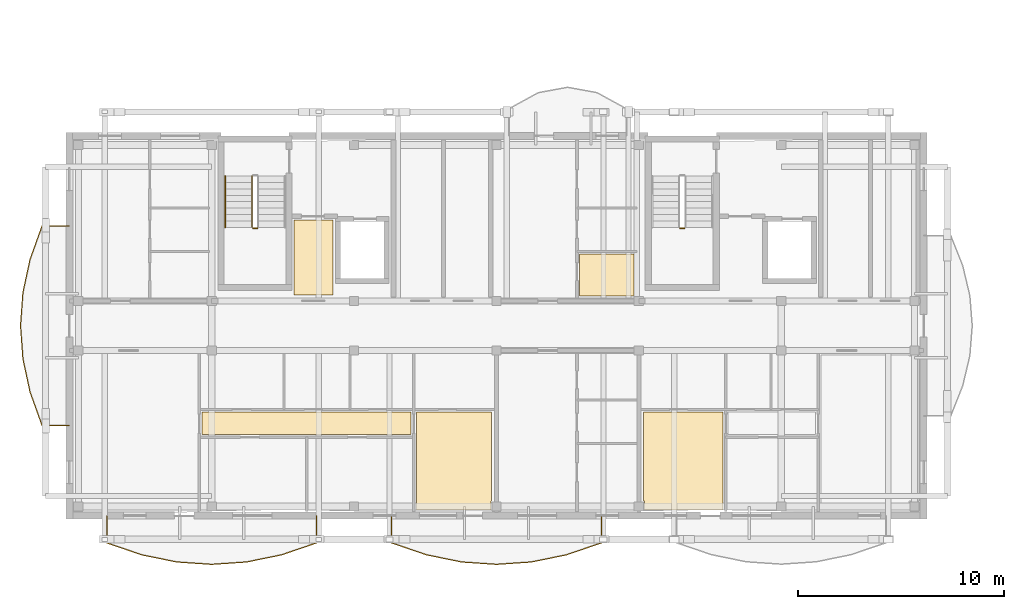
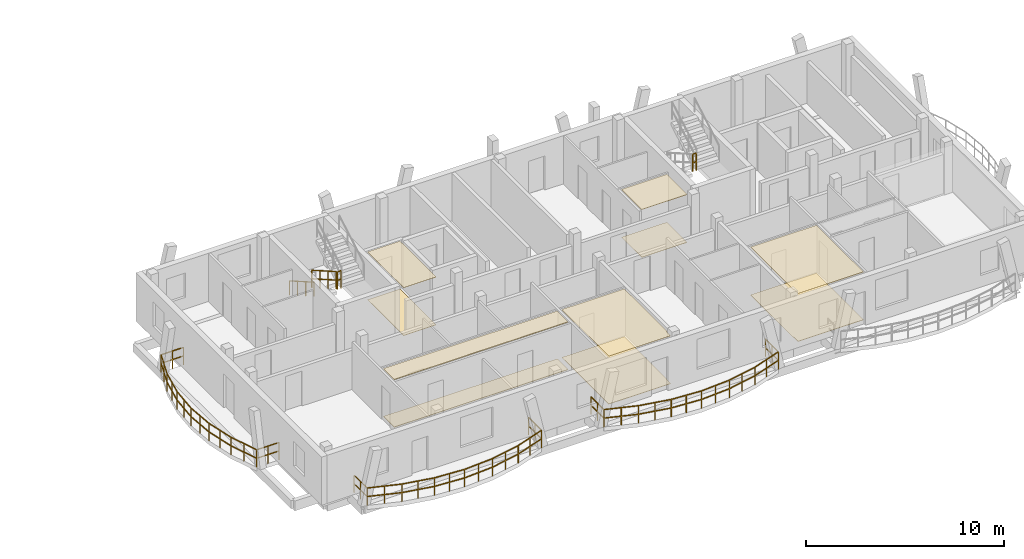
# One storey, part 18 of 21: 10 coverings, 7 railings.
"""IFC4 building model written with IfcOpenShell, lengths in metres."""

from ifc_helpers import new_model, si_unit, direction, frame, origin, origin_2d, place, context, subcontext, project, spatial, polyline, rectangle, outline, extrude, material, layer, layer_set, type_object, element, save


model = new_model("IFC4")

# Units and contexts
model_context = context("Model", 3, precision=1e-05, world=origin(), true_north=direction((0.0, 1.0)))
body_context = subcontext(model_context, "Body", "Model", "MODEL_VIEW")
ifc_project = project(units=[si_unit("LENGTHUNIT", "METRE"), si_unit("AREAUNIT", "SQUARE_METRE"), si_unit("VOLUMEUNIT", "CUBIC_METRE"), si_unit("PLANEANGLEUNIT", "RADIAN"), si_unit("MASSUNIT", "GRAM", prefix="KILO")], contexts=[model_context])

# Site, building, storey
site_placement = place(None, origin())
site = spatial("IfcSite", under=ifc_project, at=site_placement, CompositionType="ELEMENT")
building_placement = place(site_placement, origin())
building = spatial("IfcBuilding", under=site, at=building_placement, Name="Zavelmont Quarter", CompositionType="ELEMENT")
storey_placement = place(building_placement, frame((0.0, 0.0, 36.800048828125)))
storey = spatial("IfcBuildingStorey", under=building, at=storey_placement, Name="L11", CompositionType="ELEMENT", Elevation=36.800048828125)

# Coverings
ifc_material_1 = material(Name="Perforated acoustic gypsum board")
ifc_layer_1 = layer(ifc_material_1, 0.02490234375)
ifc_layer_set_1 = layer_set([ifc_layer_1], Name="Perforated acoustic gypsum board")
covering_type_1 = type_object("IfcCoveringType", Name="CV-CL01", PredefinedType="CEILING", material=ifc_layer_set_1)
covering_1_placement = place(storey_placement, frame((0.0, 0.0, 2.945068359375)))
element("IfcCovering", 1, at=covering_1_placement, inside=storey, type_object=covering_type_1, Name="L11 Lobby Vestibule acoustic ceiling", PredefinedType="CEILING", context=body_context, shape_type="SweptSolid", body=[
    extrude(outline(polyline([(10.8798828125, 14.320068359375), (12.77001953125, 14.320068359375), (12.77001953125, 10.679931640625), (10.8798828125, 10.679931640625), (10.8798828125, 14.320068359375)])), origin(), (0.0, 0.0, 1.0), 0.02490234375),
])
covering_2_placement = place(storey_placement, frame((0.0, 0.0, 2.945068359375)))
element("IfcCovering", 2, at=covering_2_placement, inside=storey, type_object=covering_type_1, Name="L11 Master Bedroom acoustic ceiling", PredefinedType="CEILING", context=body_context, shape_type="SweptSolid", body=[
    extrude(outline(polyline([(16.830078125, 5.02001953125), (20.469970703125, 5.02001953125), (20.469970703125, 0.705078125), (20.43505859375, 0.705078125), (20.43505859375, 0.280029296875), (16.830078125, 0.280029296875), (16.830078125, 5.02001953125)])), origin(), (0.0, 0.0, 1.0), 0.02490234375),
])
covering_3_placement = place(storey_placement, frame((0.0, 0.0, 2.945068359375)))
element("IfcCovering", 3, at=covering_3_placement, inside=storey, type_object=covering_type_1, Name="L11 Double Bedroom acoustic ceiling", PredefinedType="CEILING", context=body_context, shape_type="SweptSolid", body=[
    extrude(outline(polyline([(27.830078125, 5.02001953125), (31.669921875, 5.02001953125), (31.669921875, 0.280029296875), (27.864990234375, 0.280029296875), (27.864990234375, 0.705078125), (27.830078125, 0.705078125), (27.830078125, 5.02001953125)])), origin(), (0.0, 0.0, 1.0), 0.02490234375),
])
covering_4_placement = place(storey_placement, frame((0.0, 0.0, 2.945068359375)))
element("IfcCovering", 4, at=covering_4_placement, inside=storey, type_object=covering_type_1, Name="L11 Kitchen acoustic ceiling", PredefinedType="CEILING", context=body_context, shape_type="SweptSolid", body=[
    extrude(outline(polyline([(24.72998046875, 12.669921875), (27.3701171875, 12.669921875), (27.3701171875, 10.6650390625), (27.3349609375, 10.6650390625), (27.3349609375, 10.6298828125), (24.72998046875, 10.6298828125), (24.72998046875, 12.669921875)])), origin(), (0.0, 0.0, 1.0), 0.02490234375),
])
ifc_material_2 = material(Name="Slatted European ash acoustic baffle ceiling")
ifc_layer_2 = layer(ifc_material_2, 0.0400390625)
ifc_layer_set_2 = layer_set([ifc_layer_2], Name="Slatted European ash acoustic baffle ceiling")
covering_type_2 = type_object("IfcCoveringType", Name="CV-CL02", PredefinedType="CEILING", material=ifc_layer_set_2)
covering_5_placement = place(storey_placement, frame((0.0, 0.0, 2.929931640625)))
element("IfcCovering", 5, at=covering_5_placement, inside=storey, type_object=covering_type_2, Name="L11 Apartment Hall acoustic ceiling", PredefinedType="CEILING", context=body_context, shape_type="SweptSolid", body=[
    extrude(outline(polyline([(6.429931640625, 5.02001953125), (16.570068359375, 5.02001953125), (16.570068359375, 3.929931640625), (6.429931640625, 3.929931640625), (6.429931640625, 5.02001953125)])), origin(), (0.0, 0.0, 1.0), 0.0400390625),
])
ifc_material_3 = material(Name="Engineered European oak parquet")
ifc_layer_3 = layer(ifc_material_3, 0.02197265625)
ifc_layer_set_3 = layer_set([ifc_layer_3], Name="Engineered European oak parquet")
covering_type_3 = type_object("IfcCoveringType", Name="CV-FL01", PredefinedType="FLOORING", material=ifc_layer_set_3)
covering_6_placement = place(storey_placement, origin())
element("IfcCovering", 6, at=covering_6_placement, inside=storey, type_object=covering_type_3, Name="L11 Lobby Vestibule floor finish", PredefinedType="FLOORING", context=body_context, shape_type="SweptSolid", body=[
    extrude(outline(polyline([(10.8798828125, 14.320068359375), (12.77001953125, 14.320068359375), (12.77001953125, 10.679931640625), (10.8798828125, 10.679931640625), (10.8798828125, 14.320068359375)])), origin(), (0.0, 0.0, 1.0), 0.02197265625),
])
covering_7_placement = place(storey_placement, origin())
element("IfcCovering", 7, at=covering_7_placement, inside=storey, type_object=covering_type_3, Name="L11 Master Bedroom floor finish", PredefinedType="FLOORING", context=body_context, shape_type="SweptSolid", body=[
    extrude(outline(polyline([(16.830078125, 5.02001953125), (20.469970703125, 5.02001953125), (20.469970703125, 0.705078125), (20.43505859375, 0.705078125), (20.43505859375, 0.280029296875), (16.830078125, 0.280029296875), (16.830078125, 5.02001953125)])), origin(), (0.0, 0.0, 1.0), 0.02197265625),
])
covering_8_placement = place(storey_placement, origin())
element("IfcCovering", 8, at=covering_8_placement, inside=storey, type_object=covering_type_3, Name="L11 Double Bedroom floor finish", PredefinedType="FLOORING", context=body_context, shape_type="SweptSolid", body=[
    extrude(outline(polyline([(27.830078125, 5.02001953125), (31.669921875, 5.02001953125), (31.669921875, 0.280029296875), (27.864990234375, 0.280029296875), (27.864990234375, 0.705078125), (27.830078125, 0.705078125), (27.830078125, 5.02001953125)])), origin(), (0.0, 0.0, 1.0), 0.02197265625),
])
covering_9_placement = place(storey_placement, origin())
element("IfcCovering", 9, at=covering_9_placement, inside=storey, type_object=covering_type_3, Name="L11 Kitchen floor finish", PredefinedType="FLOORING", context=body_context, shape_type="SweptSolid", body=[
    extrude(outline(polyline([(24.72998046875, 12.669921875), (27.3701171875, 12.669921875), (27.3701171875, 10.6650390625), (27.3349609375, 10.6650390625), (27.3349609375, 10.6298828125), (24.72998046875, 10.6298828125), (24.72998046875, 12.669921875)])), origin(), (0.0, 0.0, 1.0), 0.02197265625),
])
ifc_material_4 = material(Name="Honed Belgian bluestone tile", Category="masonry")
ifc_layer_4 = layer(ifc_material_4, 0.030029296875)
ifc_layer_set_4 = layer_set([ifc_layer_4], Name="Honed Belgian bluestone tile")
covering_type_4 = type_object("IfcCoveringType", Name="CV-FL02", PredefinedType="FLOORING", material=ifc_layer_set_4)
covering_10_placement = place(storey_placement, origin())
element("IfcCovering", 10, at=covering_10_placement, inside=storey, type_object=covering_type_4, Name="L11 Apartment Hall floor finish", PredefinedType="FLOORING", context=body_context, shape_type="SweptSolid", body=[
    extrude(outline(polyline([(6.429931640625, 5.02001953125), (16.570068359375, 5.02001953125), (16.570068359375, 3.929931640625), (6.429931640625, 3.929931640625), (6.429931640625, 5.02001953125)])), origin(), (0.0, 0.0, 1.0), 0.030029296875),
])

# Railings
ifc_material_5 = material(Name="Powder-coated steel and tempered double safety glass", Category="steel")
railing_type_1 = type_object("IfcRailingType", Name="RL-BAL1", PredefinedType="BALUSTRADE", material=ifc_material_5)
railing_1_placement = place(storey_placement, frame((1.816162109375, -0.02001953125, 0.0)))
element("IfcRailing", 11, at=railing_1_placement, inside=storey, type_object=railing_type_1, Name="L11 Block A curved balcony guard RL-BAL1", PredefinedType="BALUSTRADE", context=body_context, shape_type="SweptSolid", body=[
    extrude(rectangle(XDim=0.048095703125, YDim=0.048095703125, at=origin_2d()), frame((0.0, 0.0, 1.076171875), z_axis=(0.0, -1.0, 0.0), x_axis=(1.0, 0.0, 0.0)), (0.0, 0.0, 1.0), 1.304443359375),
    extrude(rectangle(XDim=0.048095703125, YDim=0.048095703125, at=origin_2d()), frame((0.0, 0.0, 0.550048828125), z_axis=(0.0, -1.0, 0.0), x_axis=(1.0, 0.0, 0.0)), (0.0, 0.0, 1.0), 1.304443359375),
    extrude(rectangle(XDim=0.048095703125, YDim=0.048095703125, at=origin_2d()), frame((0.0, -1.304443359375, 1.076171875), z_axis=(0.946437285942, -0.322887695305, 0.0), x_axis=(0.322887695305, 0.946437285942, 0.0)), (0.0, 0.0, 1.0), 1.79052734375),
    extrude(rectangle(XDim=0.048095703125, YDim=0.048095703125, at=origin_2d()), frame((0.0, -1.304443359375, 0.550048828125), z_axis=(0.946437285942, -0.322887695305, 0.0), x_axis=(0.322887695305, 0.946437285942, 0.0)), (0.0, 0.0, 1.0), 1.79052734375),
    extrude(rectangle(XDim=0.048095703125, YDim=0.048095703125, at=origin_2d()), frame((1.694580078125, -1.882568359375, 1.076171875), z_axis=(0.979680278944, -0.200565577925, 0.0), x_axis=(0.200565577925, 0.979680278944, 0.0)), (0.0, 0.0, 1.0), 1.729736328125),
    extrude(rectangle(XDim=0.048095703125, YDim=0.048095703125, at=origin_2d()), frame((1.694580078125, -1.882568359375, 0.550048828125), z_axis=(0.979680278944, -0.200565577925, 0.0), x_axis=(0.200565577925, 0.979680278944, 0.0)), (0.0, 0.0, 1.0), 1.729736328125),
    extrude(rectangle(XDim=0.048095703125, YDim=0.048095703125, at=origin_2d()), frame((3.38916015625, -2.2294921875, 1.076171875), z_axis=(0.997686130784, -0.067988119847, 0.0), x_axis=(0.067988119847, 0.997686130784, 0.0)), (0.0, 0.0, 1.0), 1.698486328125),
    extrude(rectangle(XDim=0.048095703125, YDim=0.048095703125, at=origin_2d()), frame((3.38916015625, -2.2294921875, 0.550048828125), z_axis=(0.997686130784, -0.067988119847, 0.0), x_axis=(0.067988119847, 0.997686130784, 0.0)), (0.0, 0.0, 1.0), 1.698486328125),
    extrude(rectangle(XDim=0.048095703125, YDim=0.048095703125, at=origin_2d()), frame((5.083740234375, -2.344970703125, 1.076171875), z_axis=(0.997686130784, 0.067988119847, 0.0), x_axis=(-0.067988119847, 0.997686130784, 0.0)), (0.0, 0.0, 1.0), 1.698486328125),
    extrude(rectangle(XDim=0.048095703125, YDim=0.048095703125, at=origin_2d()), frame((5.083740234375, -2.344970703125, 0.550048828125), z_axis=(0.997686130784, 0.067988119847, 0.0), x_axis=(-0.067988119847, 0.997686130784, 0.0)), (0.0, 0.0, 1.0), 1.698486328125),
    extrude(rectangle(XDim=0.048095703125, YDim=0.048095703125, at=origin_2d()), frame((6.7783203125, -2.2294921875, 1.076171875), z_axis=(0.979685955501, 0.200537848281, 0.0), x_axis=(-0.200537848281, 0.979685955501, 0.0)), (0.0, 0.0, 1.0), 1.72998046875),
    extrude(rectangle(XDim=0.048095703125, YDim=0.048095703125, at=origin_2d()), frame((6.7783203125, -2.2294921875, 0.550048828125), z_axis=(0.979685955501, 0.200537848281, 0.0), x_axis=(-0.200537848281, 0.979685955501, 0.0)), (0.0, 0.0, 1.0), 1.72998046875),
    extrude(rectangle(XDim=0.048095703125, YDim=0.048095703125, at=origin_2d()), frame((8.47314453125, -1.882568359375, 1.076171875), z_axis=(0.946437285942, 0.322887695305, 0.0), x_axis=(-0.322887695305, 0.946437285942, 0.0)), (0.0, 0.0, 1.0), 1.79052734375),
    extrude(rectangle(XDim=0.048095703125, YDim=0.048095703125, at=origin_2d()), frame((8.47314453125, -1.882568359375, 0.550048828125), z_axis=(0.946437285942, 0.322887695305, 0.0), x_axis=(-0.322887695305, 0.946437285942, 0.0)), (0.0, 0.0, 1.0), 1.79052734375),
    extrude(rectangle(XDim=0.048095703125, YDim=0.048095703125, at=origin_2d()), frame((10.167724609375, -1.304443359375, 1.076171875), z_axis=(0.0, 1.0, 0.0), x_axis=(-1.0, 0.0, 0.0)), (0.0, 0.0, 1.0), 1.304443359375),
    extrude(rectangle(XDim=0.048095703125, YDim=0.048095703125, at=origin_2d()), frame((10.167724609375, -1.304443359375, 0.550048828125), z_axis=(0.0, 1.0, 0.0), x_axis=(-1.0, 0.0, 0.0)), (0.0, 0.0, 1.0), 1.304443359375),
    extrude(rectangle(XDim=0.0419921875, YDim=0.0419921875, at=origin_2d()), origin(), (0.0, 0.0, 1.0), 1.052001953125),
    extrude(rectangle(XDim=0.0419921875, YDim=0.0419921875, at=origin_2d()), frame((0.0, -0.65234375, 0.0)), (0.0, 0.0, 1.0), 1.052001953125),
    extrude(rectangle(XDim=0.0419921875, YDim=0.0419921875, at=origin_2d()), frame((0.0, -1.304443359375, 0.0)), (0.0, 0.0, 1.0), 1.052001953125),
    extrude(rectangle(XDim=0.0419921875, YDim=0.0419921875, at=origin_2d()), frame((0.84716796875, -1.593505859375, 0.0)), (0.0, 0.0, 1.0), 1.052001953125),
    extrude(rectangle(XDim=0.0419921875, YDim=0.0419921875, at=origin_2d()), frame((1.694580078125, -1.882568359375, 0.0)), (0.0, 0.0, 1.0), 1.052001953125),
    extrude(rectangle(XDim=0.0419921875, YDim=0.0419921875, at=origin_2d()), frame((2.5419921875, -2.05615234375, 0.0)), (0.0, 0.0, 1.0), 1.052001953125),
    extrude(rectangle(XDim=0.0419921875, YDim=0.0419921875, at=origin_2d()), frame((3.38916015625, -2.2294921875, 0.0)), (0.0, 0.0, 1.0), 1.052001953125),
    extrude(rectangle(XDim=0.0419921875, YDim=0.0419921875, at=origin_2d()), frame((4.236328125, -2.287109375, 0.0)), (0.0, 0.0, 1.0), 1.052001953125),
    extrude(rectangle(XDim=0.0419921875, YDim=0.0419921875, at=origin_2d()), frame((5.083740234375, -2.344970703125, 0.0)), (0.0, 0.0, 1.0), 1.052001953125),
    extrude(rectangle(XDim=0.0419921875, YDim=0.0419921875, at=origin_2d()), frame((5.93115234375, -2.287109375, 0.0)), (0.0, 0.0, 1.0), 1.052001953125),
    extrude(rectangle(XDim=0.0419921875, YDim=0.0419921875, at=origin_2d()), frame((6.7783203125, -2.2294921875, 0.0)), (0.0, 0.0, 1.0), 1.052001953125),
    extrude(rectangle(XDim=0.0419921875, YDim=0.0419921875, at=origin_2d()), frame((7.625732421875, -2.05615234375, 0.0)), (0.0, 0.0, 1.0), 1.052001953125),
    extrude(rectangle(XDim=0.0419921875, YDim=0.0419921875, at=origin_2d()), frame((8.47314453125, -1.882568359375, 0.0)), (0.0, 0.0, 1.0), 1.052001953125),
    extrude(rectangle(XDim=0.0419921875, YDim=0.0419921875, at=origin_2d()), frame((9.3203125, -1.593505859375, 0.0)), (0.0, 0.0, 1.0), 1.052001953125),
    extrude(rectangle(XDim=0.0419921875, YDim=0.0419921875, at=origin_2d()), frame((10.167724609375, -1.304443359375, 0.0)), (0.0, 0.0, 1.0), 1.052001953125),
    extrude(rectangle(XDim=0.0419921875, YDim=0.0419921875, at=origin_2d()), frame((10.167724609375, -0.65234375, 0.0)), (0.0, 0.0, 1.0), 1.052001953125),
    extrude(rectangle(XDim=0.0419921875, YDim=0.0419921875, at=origin_2d()), frame((10.167724609375, 0.0, 0.0)), (0.0, 0.0, 1.0), 1.052001953125),
])
railing_2_placement = place(storey_placement, frame((15.6162109375, -0.02001953125, 0.0)))
element("IfcRailing", 12, at=railing_2_placement, inside=storey, type_object=railing_type_1, Name="L11 Block A curved balcony guard RL-BAL1", PredefinedType="BALUSTRADE", context=body_context, shape_type="SweptSolid", body=[
    extrude(rectangle(XDim=0.048095703125, YDim=0.048095703125, at=origin_2d()), frame((0.0, 0.0, 1.076171875), z_axis=(0.0, -1.0, 0.0), x_axis=(1.0, 0.0, 0.0)), (0.0, 0.0, 1.0), 1.304443359375),
    extrude(rectangle(XDim=0.048095703125, YDim=0.048095703125, at=origin_2d()), frame((0.0, 0.0, 0.550048828125), z_axis=(0.0, -1.0, 0.0), x_axis=(1.0, 0.0, 0.0)), (0.0, 0.0, 1.0), 1.304443359375),
    extrude(rectangle(XDim=0.048095703125, YDim=0.048095703125, at=origin_2d()), frame((0.0, -1.304443359375, 1.076171875), z_axis=(0.946437285942, -0.322887695305, 0.0), x_axis=(0.322887695305, 0.946437285942, 0.0)), (0.0, 0.0, 1.0), 1.79052734375),
    extrude(rectangle(XDim=0.048095703125, YDim=0.048095703125, at=origin_2d()), frame((0.0, -1.304443359375, 0.550048828125), z_axis=(0.946437285942, -0.322887695305, 0.0), x_axis=(0.322887695305, 0.946437285942, 0.0)), (0.0, 0.0, 1.0), 1.79052734375),
    extrude(rectangle(XDim=0.048095703125, YDim=0.048095703125, at=origin_2d()), frame((1.694580078125, -1.882568359375, 1.076171875), z_axis=(0.979680278944, -0.200565577925, 0.0), x_axis=(0.200565577925, 0.979680278944, 0.0)), (0.0, 0.0, 1.0), 1.729736328125),
    extrude(rectangle(XDim=0.048095703125, YDim=0.048095703125, at=origin_2d()), frame((1.694580078125, -1.882568359375, 0.550048828125), z_axis=(0.979680278944, -0.200565577925, 0.0), x_axis=(0.200565577925, 0.979680278944, 0.0)), (0.0, 0.0, 1.0), 1.729736328125),
    extrude(rectangle(XDim=0.048095703125, YDim=0.048095703125, at=origin_2d()), frame((3.38916015625, -2.2294921875, 1.076171875), z_axis=(0.997686130784, -0.067988119847, 0.0), x_axis=(0.067988119847, 0.997686130784, 0.0)), (0.0, 0.0, 1.0), 1.698486328125),
    extrude(rectangle(XDim=0.048095703125, YDim=0.048095703125, at=origin_2d()), frame((3.38916015625, -2.2294921875, 0.550048828125), z_axis=(0.997686130784, -0.067988119847, 0.0), x_axis=(0.067988119847, 0.997686130784, 0.0)), (0.0, 0.0, 1.0), 1.698486328125),
    extrude(rectangle(XDim=0.048095703125, YDim=0.048095703125, at=origin_2d()), frame((5.083740234375, -2.344970703125, 1.076171875), z_axis=(0.997686130784, 0.067988119847, 0.0), x_axis=(-0.067988119847, 0.997686130784, 0.0)), (0.0, 0.0, 1.0), 1.698486328125),
    extrude(rectangle(XDim=0.048095703125, YDim=0.048095703125, at=origin_2d()), frame((5.083740234375, -2.344970703125, 0.550048828125), z_axis=(0.997686130784, 0.067988119847, 0.0), x_axis=(-0.067988119847, 0.997686130784, 0.0)), (0.0, 0.0, 1.0), 1.698486328125),
    extrude(rectangle(XDim=0.048095703125, YDim=0.048095703125, at=origin_2d()), frame((6.7783203125, -2.2294921875, 1.076171875), z_axis=(0.979685955501, 0.200537848281, 0.0), x_axis=(-0.200537848281, 0.979685955501, 0.0)), (0.0, 0.0, 1.0), 1.72998046875),
    extrude(rectangle(XDim=0.048095703125, YDim=0.048095703125, at=origin_2d()), frame((6.7783203125, -2.2294921875, 0.550048828125), z_axis=(0.979685955501, 0.200537848281, 0.0), x_axis=(-0.200537848281, 0.979685955501, 0.0)), (0.0, 0.0, 1.0), 1.72998046875),
    extrude(rectangle(XDim=0.048095703125, YDim=0.048095703125, at=origin_2d()), frame((8.47314453125, -1.882568359375, 1.076171875), z_axis=(0.946437285942, 0.322887695305, 0.0), x_axis=(-0.322887695305, 0.946437285942, 0.0)), (0.0, 0.0, 1.0), 1.79052734375),
    extrude(rectangle(XDim=0.048095703125, YDim=0.048095703125, at=origin_2d()), frame((8.47314453125, -1.882568359375, 0.550048828125), z_axis=(0.946437285942, 0.322887695305, 0.0), x_axis=(-0.322887695305, 0.946437285942, 0.0)), (0.0, 0.0, 1.0), 1.79052734375),
    extrude(rectangle(XDim=0.048095703125, YDim=0.048095703125, at=origin_2d()), frame((10.167724609375, -1.304443359375, 1.076171875), z_axis=(0.0, 1.0, 0.0), x_axis=(-1.0, 0.0, 0.0)), (0.0, 0.0, 1.0), 1.304443359375),
    extrude(rectangle(XDim=0.048095703125, YDim=0.048095703125, at=origin_2d()), frame((10.167724609375, -1.304443359375, 0.550048828125), z_axis=(0.0, 1.0, 0.0), x_axis=(-1.0, 0.0, 0.0)), (0.0, 0.0, 1.0), 1.304443359375),
    extrude(rectangle(XDim=0.0419921875, YDim=0.0419921875, at=origin_2d()), origin(), (0.0, 0.0, 1.0), 1.052001953125),
    extrude(rectangle(XDim=0.0419921875, YDim=0.0419921875, at=origin_2d()), frame((0.0, -0.65234375, 0.0)), (0.0, 0.0, 1.0), 1.052001953125),
    extrude(rectangle(XDim=0.0419921875, YDim=0.0419921875, at=origin_2d()), frame((0.0, -1.304443359375, 0.0)), (0.0, 0.0, 1.0), 1.052001953125),
    extrude(rectangle(XDim=0.0419921875, YDim=0.0419921875, at=origin_2d()), frame((0.84716796875, -1.593505859375, 0.0)), (0.0, 0.0, 1.0), 1.052001953125),
    extrude(rectangle(XDim=0.0419921875, YDim=0.0419921875, at=origin_2d()), frame((1.694580078125, -1.882568359375, 0.0)), (0.0, 0.0, 1.0), 1.052001953125),
    extrude(rectangle(XDim=0.0419921875, YDim=0.0419921875, at=origin_2d()), frame((2.5419921875, -2.05615234375, 0.0)), (0.0, 0.0, 1.0), 1.052001953125),
    extrude(rectangle(XDim=0.0419921875, YDim=0.0419921875, at=origin_2d()), frame((3.38916015625, -2.2294921875, 0.0)), (0.0, 0.0, 1.0), 1.052001953125),
    extrude(rectangle(XDim=0.0419921875, YDim=0.0419921875, at=origin_2d()), frame((4.236328125, -2.287109375, 0.0)), (0.0, 0.0, 1.0), 1.052001953125),
    extrude(rectangle(XDim=0.0419921875, YDim=0.0419921875, at=origin_2d()), frame((5.083740234375, -2.344970703125, 0.0)), (0.0, 0.0, 1.0), 1.052001953125),
    extrude(rectangle(XDim=0.0419921875, YDim=0.0419921875, at=origin_2d()), frame((5.93115234375, -2.287109375, 0.0)), (0.0, 0.0, 1.0), 1.052001953125),
    extrude(rectangle(XDim=0.0419921875, YDim=0.0419921875, at=origin_2d()), frame((6.7783203125, -2.2294921875, 0.0)), (0.0, 0.0, 1.0), 1.052001953125),
    extrude(rectangle(XDim=0.0419921875, YDim=0.0419921875, at=origin_2d()), frame((7.625732421875, -2.05615234375, 0.0)), (0.0, 0.0, 1.0), 1.052001953125),
    extrude(rectangle(XDim=0.0419921875, YDim=0.0419921875, at=origin_2d()), frame((8.47314453125, -1.882568359375, 0.0)), (0.0, 0.0, 1.0), 1.052001953125),
    extrude(rectangle(XDim=0.0419921875, YDim=0.0419921875, at=origin_2d()), frame((9.3203125, -1.593505859375, 0.0)), (0.0, 0.0, 1.0), 1.052001953125),
    extrude(rectangle(XDim=0.0419921875, YDim=0.0419921875, at=origin_2d()), frame((10.167724609375, -1.304443359375, 0.0)), (0.0, 0.0, 1.0), 1.052001953125),
    extrude(rectangle(XDim=0.0419921875, YDim=0.0419921875, at=origin_2d()), frame((10.167724609375, -0.65234375, 0.0)), (0.0, 0.0, 1.0), 1.052001953125),
    extrude(rectangle(XDim=0.0419921875, YDim=0.0419921875, at=origin_2d()), frame((10.167724609375, 0.0, 0.0)), (0.0, 0.0, 1.0), 1.052001953125),
])
railing_3_placement = place(storey_placement, frame((-0.02001953125, 14.026123046875, 0.0)))
element("IfcRailing", 13, at=railing_3_placement, inside=storey, type_object=railing_type_1, Name="L11 Block A curved balcony guard RL-BAL1", PredefinedType="BALUSTRADE", context=body_context, shape_type="SweptSolid", body=[
    extrude(rectangle(XDim=0.048095703125, YDim=0.048095703125, at=origin_2d()), frame((0.0, 0.0, 1.076171875), z_axis=(-1.0, 0.0, 0.0), x_axis=(0.0, -1.0, 0.0)), (0.0, 0.0, 1.0), 1.304443359375),
    extrude(rectangle(XDim=0.048095703125, YDim=0.048095703125, at=origin_2d()), frame((0.0, 0.0, 0.550048828125), z_axis=(-1.0, 0.0, 0.0), x_axis=(0.0, -1.0, 0.0)), (0.0, 0.0, 1.0), 1.304443359375),
    extrude(rectangle(XDim=0.048095703125, YDim=0.048095703125, at=origin_2d()), frame((-1.304443359375, 0.0, 1.076171875), z_axis=(-0.338208608061, -0.941071164914, 0.0), x_axis=(0.941071164914, -0.338208608061, 0.0)), (0.0, 0.0, 1.0), 1.70947265625),
    extrude(rectangle(XDim=0.048095703125, YDim=0.048095703125, at=origin_2d()), frame((-1.304443359375, 0.0, 0.550048828125), z_axis=(-0.338208608061, -0.941071164914, 0.0), x_axis=(0.941071164914, -0.338208608061, 0.0)), (0.0, 0.0, 1.0), 1.70947265625),
    extrude(rectangle(XDim=0.048095703125, YDim=0.048095703125, at=origin_2d()), frame((-1.882568359375, -1.608642578125, 1.076171875), z_axis=(-0.210785066171, -0.977532432137, 0.0), x_axis=(0.977532432137, -0.210785066171, 0.0)), (0.0, 0.0, 1.0), 1.645751953125),
    extrude(rectangle(XDim=0.048095703125, YDim=0.048095703125, at=origin_2d()), frame((-1.882568359375, -1.608642578125, 0.550048828125), z_axis=(-0.210785066171, -0.977532432137, 0.0), x_axis=(0.977532432137, -0.210785066171, 0.0)), (0.0, 0.0, 1.0), 1.645751953125),
    extrude(rectangle(XDim=0.048095703125, YDim=0.048095703125, at=origin_2d()), frame((-2.2294921875, -3.217529296875, 1.076171875), z_axis=(-0.071602055074, -0.997433278826, 0.0), x_axis=(0.997433278826, -0.071602055074, 0.0)), (0.0, 0.0, 1.0), 1.61279296875),
    extrude(rectangle(XDim=0.048095703125, YDim=0.048095703125, at=origin_2d()), frame((-2.2294921875, -3.217529296875, 0.550048828125), z_axis=(-0.071602055074, -0.997433278826, 0.0), x_axis=(0.997433278826, -0.071602055074, 0.0)), (0.0, 0.0, 1.0), 1.61279296875),
    extrude(rectangle(XDim=0.048095703125, YDim=0.048095703125, at=origin_2d()), frame((-2.344970703125, -4.826171875, 1.076171875), z_axis=(0.071602055074, -0.997433278826, 0.0), x_axis=(0.997433278826, 0.071602055074, 0.0)), (0.0, 0.0, 1.0), 1.61279296875),
    extrude(rectangle(XDim=0.048095703125, YDim=0.048095703125, at=origin_2d()), frame((-2.344970703125, -4.826171875, 0.550048828125), z_axis=(0.071602055074, -0.997433278826, 0.0), x_axis=(0.997433278826, 0.071602055074, 0.0)), (0.0, 0.0, 1.0), 1.61279296875),
    extrude(rectangle(XDim=0.048095703125, YDim=0.048095703125, at=origin_2d()), frame((-2.2294921875, -6.434814453125, 1.076171875), z_axis=(0.210815634964, -0.977525840096, 0.0), x_axis=(0.977525840096, 0.210815634964, 0.0)), (0.0, 0.0, 1.0), 1.6455078125),
    extrude(rectangle(XDim=0.048095703125, YDim=0.048095703125, at=origin_2d()), frame((-2.2294921875, -6.434814453125, 0.550048828125), z_axis=(0.210815634964, -0.977525840096, 0.0), x_axis=(0.977525840096, 0.210815634964, 0.0)), (0.0, 0.0, 1.0), 1.6455078125),
    extrude(rectangle(XDim=0.048095703125, YDim=0.048095703125, at=origin_2d()), frame((-1.882568359375, -8.04345703125, 1.076171875), z_axis=(0.338163155801, -0.94108749862, 0.0), x_axis=(0.94108749862, 0.338163155801, 0.0)), (0.0, 0.0, 1.0), 1.709716796875),
    extrude(rectangle(XDim=0.048095703125, YDim=0.048095703125, at=origin_2d()), frame((-1.882568359375, -8.04345703125, 0.550048828125), z_axis=(0.338163155801, -0.94108749862, 0.0), x_axis=(0.94108749862, 0.338163155801, 0.0)), (0.0, 0.0, 1.0), 1.709716796875),
    extrude(rectangle(XDim=0.048095703125, YDim=0.048095703125, at=origin_2d()), frame((-1.304443359375, -9.65234375, 1.076171875), z_axis=(1.0, 0.0, 0.0), x_axis=(0.0, 1.0, 0.0)), (0.0, 0.0, 1.0), 1.304443359375),
    extrude(rectangle(XDim=0.048095703125, YDim=0.048095703125, at=origin_2d()), frame((-1.304443359375, -9.65234375, 0.550048828125), z_axis=(1.0, 0.0, 0.0), x_axis=(0.0, 1.0, 0.0)), (0.0, 0.0, 1.0), 1.304443359375),
    extrude(rectangle(XDim=0.0419921875, YDim=0.0419921875, at=origin_2d()), origin(), (0.0, 0.0, 1.0), 1.052001953125),
    extrude(rectangle(XDim=0.0419921875, YDim=0.0419921875, at=origin_2d()), frame((-0.65234375, 0.0, 0.0)), (0.0, 0.0, 1.0), 1.052001953125),
    extrude(rectangle(XDim=0.0419921875, YDim=0.0419921875, at=origin_2d()), frame((-1.304443359375, 0.0, 0.0)), (0.0, 0.0, 1.0), 1.052001953125),
    extrude(rectangle(XDim=0.0419921875, YDim=0.0419921875, at=origin_2d()), frame((-1.593505859375, -0.80419921875, 0.0)), (0.0, 0.0, 1.0), 1.052001953125),
    extrude(rectangle(XDim=0.0419921875, YDim=0.0419921875, at=origin_2d()), frame((-1.882568359375, -1.608642578125, 0.0)), (0.0, 0.0, 1.0), 1.052001953125),
    extrude(rectangle(XDim=0.0419921875, YDim=0.0419921875, at=origin_2d()), frame((-2.05615234375, -2.4130859375, 0.0)), (0.0, 0.0, 1.0), 1.052001953125),
    extrude(rectangle(XDim=0.0419921875, YDim=0.0419921875, at=origin_2d()), frame((-2.2294921875, -3.217529296875, 0.0)), (0.0, 0.0, 1.0), 1.052001953125),
    extrude(rectangle(XDim=0.0419921875, YDim=0.0419921875, at=origin_2d()), frame((-2.287109375, -4.02197265625, 0.0)), (0.0, 0.0, 1.0), 1.052001953125),
    extrude(rectangle(XDim=0.0419921875, YDim=0.0419921875, at=origin_2d()), frame((-2.344970703125, -4.826171875, 0.0)), (0.0, 0.0, 1.0), 1.052001953125),
    extrude(rectangle(XDim=0.0419921875, YDim=0.0419921875, at=origin_2d()), frame((-2.287109375, -5.63037109375, 0.0)), (0.0, 0.0, 1.0), 1.052001953125),
    extrude(rectangle(XDim=0.0419921875, YDim=0.0419921875, at=origin_2d()), frame((-2.2294921875, -6.434814453125, 0.0)), (0.0, 0.0, 1.0), 1.052001953125),
    extrude(rectangle(XDim=0.0419921875, YDim=0.0419921875, at=origin_2d()), frame((-2.05615234375, -7.2392578125, 0.0)), (0.0, 0.0, 1.0), 1.052001953125),
    extrude(rectangle(XDim=0.0419921875, YDim=0.0419921875, at=origin_2d()), frame((-1.882568359375, -8.04345703125, 0.0)), (0.0, 0.0, 1.0), 1.052001953125),
    extrude(rectangle(XDim=0.0419921875, YDim=0.0419921875, at=origin_2d()), frame((-1.593505859375, -8.847900390625, 0.0)), (0.0, 0.0, 1.0), 1.052001953125),
    extrude(rectangle(XDim=0.0419921875, YDim=0.0419921875, at=origin_2d()), frame((-1.304443359375, -9.65234375, 0.0)), (0.0, 0.0, 1.0), 1.052001953125),
    extrude(rectangle(XDim=0.0419921875, YDim=0.0419921875, at=origin_2d()), frame((-0.65234375, -9.65234375, 0.0)), (0.0, 0.0, 1.0), 1.052001953125),
    extrude(rectangle(XDim=0.0419921875, YDim=0.0419921875, at=origin_2d()), frame((0.0, -9.65234375, 0.0)), (0.0, 0.0, 1.0), 1.052001953125),
])
ifc_material_6 = material(Name="Powder-coated steel stair guardrail", Category="steel")
railing_type_2 = type_object("IfcRailingType", Name="RL-GRD1", PredefinedType="GUARDRAIL", material=ifc_material_6)
railing_4_placement = place(storey_placement, frame((8.85009765625, 16.449951171875, 0.177734375)))
element("IfcRailing", 14, at=railing_4_placement, inside=storey, type_object=railing_type_2, Name="L11 ST01 stair guardrail 1", PredefinedType="GUARDRAIL", context=body_context, shape_type="SweptSolid", body=[
    extrude(rectangle(XDim=0.048095703125, YDim=0.048095703125, at=origin_2d()), frame((0.0, 0.0, 1.076171875), z_axis=(0.0, -0.867490628297, 0.497453525283), x_axis=(1.0, 0.0, 0.0)), (0.0, 0.0, 1.0), 2.85888671875),
    extrude(rectangle(XDim=0.048095703125, YDim=0.048095703125, at=origin_2d()), frame((0.0, 0.0, 0.550048828125), z_axis=(0.0, -0.867490628297, 0.497453525283), x_axis=(1.0, 0.0, 0.0)), (0.0, 0.0, 1.0), 2.85888671875),
    extrude(rectangle(XDim=0.0419921875, YDim=0.0419921875, at=origin_2d()), origin(), (0.0, 0.0, 1.0), 1.052001953125),
    extrude(rectangle(XDim=0.0419921875, YDim=0.0419921875, at=origin_2d()), frame((0.0, -0.82666015625, 0.47412109375)), (0.0, 0.0, 1.0), 1.052001953125),
    extrude(rectangle(XDim=0.0419921875, YDim=0.0419921875, at=origin_2d()), frame((0.0, -1.6533203125, 0.947998046875)), (0.0, 0.0, 1.0), 1.052001953125),
    extrude(rectangle(XDim=0.0419921875, YDim=0.0419921875, at=origin_2d()), frame((0.0, -2.47998046875, 1.422119140625)), (0.0, 0.0, 1.0), 1.052001953125),
])
railing_5_placement = place(storey_placement, frame((8.89990234375, 13.919921875, 1.599853515625)))
element("IfcRailing", 15, at=railing_5_placement, inside=storey, type_object=railing_type_2, Name="L11 ST01 stair guardrail 2", PredefinedType="GUARDRAIL", context=body_context, shape_type="SweptSolid", body=[
    extrude(rectangle(XDim=0.048095703125, YDim=0.048095703125, at=origin_2d()), frame((0.0, 0.0, 1.076171875), z_axis=(1.0, 0.0, 0.0), x_axis=(0.0, 1.0, 0.0)), (0.0, 0.0, 1.0), 0.2001953125),
    extrude(rectangle(XDim=0.048095703125, YDim=0.048095703125, at=origin_2d()), frame((0.0, 0.0, 0.550048828125), z_axis=(1.0, 0.0, 0.0), x_axis=(0.0, 1.0, 0.0)), (0.0, 0.0, 1.0), 0.2001953125),
    extrude(rectangle(XDim=0.0419921875, YDim=0.0419921875, at=origin_2d()), origin(), (0.0, 0.0, 1.0), 1.052001953125),
    extrude(rectangle(XDim=0.0419921875, YDim=0.0419921875, at=origin_2d()), frame((0.2001953125, 0.0, 0.0)), (0.0, 0.0, 1.0), 1.052001953125),
])
railing_6_placement = place(storey_placement, frame((29.60009765625, 13.919921875, 1.599853515625)))
element("IfcRailing", 16, at=railing_6_placement, inside=storey, type_object=railing_type_2, Name="L11 ST02 stair guardrail 2", PredefinedType="GUARDRAIL", context=body_context, shape_type="SweptSolid", body=[
    extrude(rectangle(XDim=0.048095703125, YDim=0.048095703125, at=origin_2d()), frame((0.0, 0.0, 1.076171875), z_axis=(1.0, 0.0, 0.0), x_axis=(0.0, 1.0, 0.0)), (0.0, 0.0, 1.0), 0.199951171875),
    extrude(rectangle(XDim=0.048095703125, YDim=0.048095703125, at=origin_2d()), frame((0.0, 0.0, 0.550048828125), z_axis=(1.0, 0.0, 0.0), x_axis=(0.0, 1.0, 0.0)), (0.0, 0.0, 1.0), 0.199951171875),
    extrude(rectangle(XDim=0.0419921875, YDim=0.0419921875, at=origin_2d()), origin(), (0.0, 0.0, 1.0), 1.052001953125),
    extrude(rectangle(XDim=0.0419921875, YDim=0.0419921875, at=origin_2d()), frame((0.199951171875, 0.0, 0.0)), (0.0, 0.0, 1.0), 1.052001953125),
])
ifc_material_7 = material(Name="Brushed stainless-steel wall handrail", Category="steel")
railing_type_3 = type_object("IfcRailingType", Name="RL-HND1", PredefinedType="HANDRAIL", material=ifc_material_7)
railing_7_placement = place(storey_placement, frame((7.550048828125, 16.449951171875, 0.177734375)))
element("IfcRailing", 17, at=railing_7_placement, inside=storey, type_object=railing_type_3, Name="L11 ST01 stair handrail 1", PredefinedType="HANDRAIL", context=body_context, shape_type="SweptSolid", body=[
    extrude(rectangle(XDim=0.048095703125, YDim=0.048095703125, at=origin_2d()), frame((0.0, 0.0, 0.8759765625), z_axis=(0.0, -0.867490628297, 0.497453525283), x_axis=(1.0, 0.0, 0.0)), (0.0, 0.0, 1.0), 2.85888671875),
    extrude(rectangle(XDim=0.0419921875, YDim=0.0419921875, at=origin_2d()), origin(), (0.0, 0.0, 1.0), 0.851806640625),
    extrude(rectangle(XDim=0.0419921875, YDim=0.0419921875, at=origin_2d()), frame((0.0, -0.82666015625, 0.47412109375)), (0.0, 0.0, 1.0), 0.851806640625),
    extrude(rectangle(XDim=0.0419921875, YDim=0.0419921875, at=origin_2d()), frame((0.0, -1.6533203125, 0.947998046875)), (0.0, 0.0, 1.0), 0.851806640625),
    extrude(rectangle(XDim=0.0419921875, YDim=0.0419921875, at=origin_2d()), frame((0.0, -2.47998046875, 1.422119140625)), (0.0, 0.0, 1.0), 0.851806640625),
])

save(model, "model.ifc")
